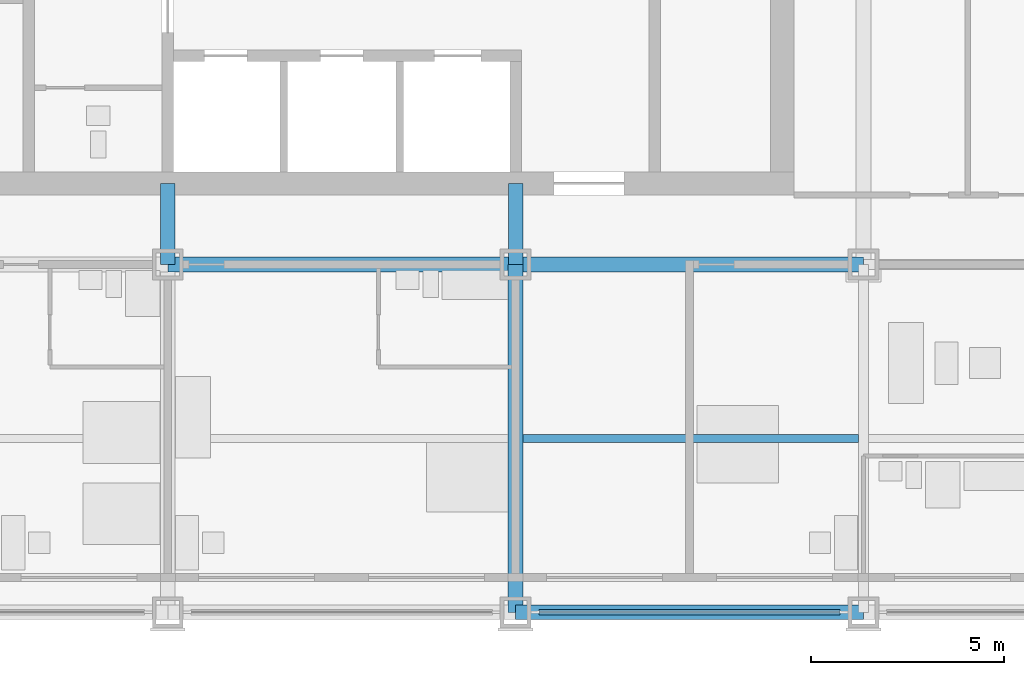
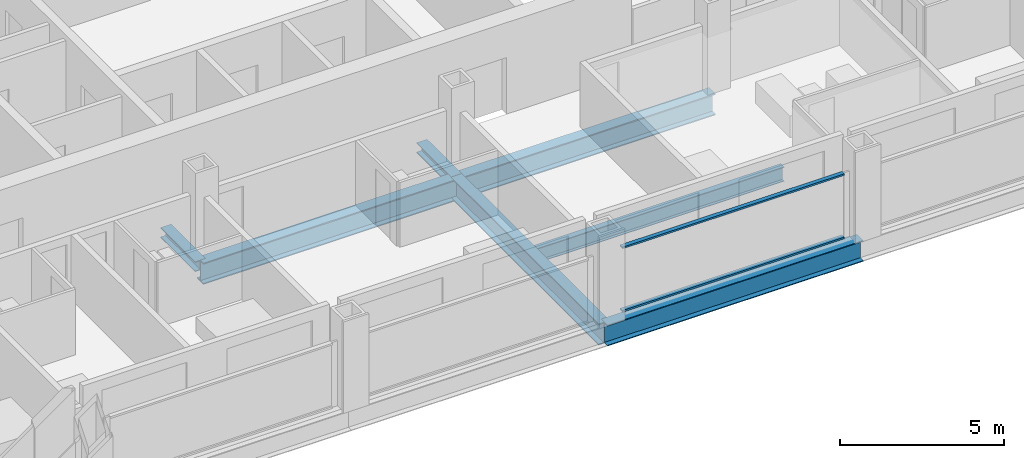
# One storey, part 3 of 18: 5 beams, 4 members, 1 element without a shape of its own.
"""IFC4 building model written with IfcOpenShell, lengths in metres."""

from ifc_helpers import new_model, si_unit, direction, frame, origin, origin_2d, place, context, subcontext, project, spatial, rectangle, i_section, extrude, material, material_profile, profile_set, type_object, element, aggregate, save


model = new_model("IFC4")

# Units and contexts
model_context = context("Model", 3, precision=1e-05, world=origin(), true_north=direction((0.0, 1.0)))
body_context = subcontext(model_context, "Body", "Model", "MODEL_VIEW")
ifc_project = project(units=[si_unit("LENGTHUNIT", "METRE"), si_unit("AREAUNIT", "SQUARE_METRE"), si_unit("VOLUMEUNIT", "CUBIC_METRE"), si_unit("PLANEANGLEUNIT", "RADIAN"), si_unit("MASSUNIT", "GRAM", prefix="KILO")], contexts=[model_context])

# Site, building, storey
site_placement = place(None, origin())
site = spatial("IfcSite", under=ifc_project, at=site_placement, CompositionType="ELEMENT")
building_placement = place(site_placement, origin())
building = spatial("IfcBuilding", under=site, at=building_placement, Name="Loomwork Tower", CompositionType="ELEMENT")
storey_placement = place(building_placement, frame((0.0, 0.0, 34.800048828125)))
storey = spatial("IfcBuildingStorey", under=building, at=storey_placement, Name="L07", CompositionType="ELEMENT", Elevation=34.800048828125)

# Beams
ifc_material_1 = material(Name="Steel ASTM A992", Category="steel")
ifc_material_profile_1 = material_profile(ifc_material_1, i_section(OverallWidth=0.383544921875, OverallDepth=0.794921875, WebThickness=0.02099609375, FlangeThickness=0.0380859375, at=origin_2d()), Name="W30x235")
ifc_profile_set_1 = profile_set([ifc_material_profile_1], Name="Steel ASTM A992")
beam_type_1 = type_object("IfcBeamType", Name="CORE FLANK GIRDER W30x235", PredefinedType="BEAM", material=ifc_profile_set_1)
for number, where, z_axis, x_axis, name in (
    (1, (18.0, 9.0, -0.59765625), (1.0, 0.0, 0.0), (0.0, 1.0, 0.0), "Core Flank Girder E/4-E/5 L07"),
    (2, (27.0, 9.0, -0.59765625), (1.0, 0.0, 0.0), (0.0, 1.0, 0.0), "Core Flank Girder E/5-E/6 L07"),
    (3, (27.0, 0.0, -0.59765625), (0.0, 1.0, 0.0), (-1.0, 0.0, 0.0), "Core Flank Girder D/5-E/5 L07"),
):
    element("IfcBeam", number, at=place(storey_placement, frame(where, z_axis=z_axis, x_axis=x_axis)), inside=storey, type_object=beam_type_1, Name=name, PredefinedType="BEAM", context=body_context, shape_type="SweptSolid", body=[
        extrude(i_section(OverallWidth=0.383544921875, OverallDepth=0.794921875, WebThickness=0.02099609375, FlangeThickness=0.0380859375, at=origin_2d()), origin(), (0.0, 0.0, 1.0), 9.0),
    ])

# Members
ifc_material_2 = material(Name="Steel ASTM A992", Category="steel")
ifc_material_profile_2 = material_profile(ifc_material_2, i_section(OverallWidth=0.373291015625, OverallDepth=0.373291015625, WebThickness=0.016357421875, FlangeThickness=0.026123046875, at=origin_2d()), Name="W14x132")
ifc_profile_set_2 = profile_set([ifc_material_profile_2], Name="Steel ASTM A992")
member_type_1 = type_object("IfcMemberType", Name="CORE LINK STRUT W14x132", PredefinedType="STRUT", material=ifc_profile_set_2)
for number, where, z_axis, x_axis, name in (
    (4, (27.0, 9.0, -0.38671875), (0.0, 1.0, 0.0), (-1.0, 0.0, 0.0), "Core link strut E/5-27.000,11.100 L07"),
    (5, (18.0, 9.0, -0.38671875), (0.0, 1.0, 0.0), (-1.0, 0.0, 0.0), "Core link strut E/4-18.000,11.100 L07"),
):
    element("IfcMember", number, at=place(storey_placement, frame(where, z_axis=z_axis, x_axis=x_axis)), inside=storey, type_object=member_type_1, Name=name, PredefinedType="STRUT", context=body_context, shape_type="SweptSolid", body=[
        extrude(i_section(OverallWidth=0.373291015625, OverallDepth=0.373291015625, WebThickness=0.016357421875, FlangeThickness=0.026123046875, at=origin_2d()), origin(), (0.0, 0.0, 1.0), 2.10009765625),
    ])

# Beam
ifc_material_3 = material(Name="Steel ASTM A992", Category="steel")
ifc_material_profile_3 = material_profile(ifc_material_3, i_section(OverallWidth=0.2109375, OverallDepth=0.53857421875, WebThickness=0.011474609375, FlangeThickness=0.018798828125, at=origin_2d()), Name="W21x73")
ifc_profile_set_3 = profile_set([ifc_material_profile_3], Name="Steel ASTM A992")
beam_type_2 = type_object("IfcBeamType", Name="FLOOR JOIST W21x73", PredefinedType="JOIST", material=ifc_profile_set_3)
beam_1_placement = place(storey_placement, frame((27.19091796875, 4.5, -0.46923828125), z_axis=(1.0, 0.0, 0.0), x_axis=(0.0, 1.0, 0.0)))
element("IfcBeam", 6, at=beam_1_placement, inside=storey, type_object=beam_type_2, Name="Floor Joist 27.000,4.500-36.000,4.500 L07", PredefinedType="JOIST", context=body_context, shape_type="SweptSolid", body=[
    extrude(i_section(OverallWidth=0.2109375, OverallDepth=0.53857421875, WebThickness=0.011474609375, FlangeThickness=0.018798828125, at=origin_2d()), origin(), (0.0, 0.0, 1.0), 8.676025390625),
])

# Curtain wall, members
ifc_material_4 = material(Name="Aluminium curtain wall frame", Category="aluminium")
curtain_wall_type = type_object("IfcCurtainWallType", Name="Outer skin glazing hotel", PredefinedType="NOTDEFINED", material=ifc_material_4)
curtain_wall_placement = place(storey_placement, origin())
curtain_wall = element("IfcCurtainWall", 7, at=curtain_wall_placement, inside=storey, type_object=curtain_wall_type, Name="Outer skin glazing hotel cw/S-27", PredefinedType="NOTDEFINED")
ifc_material_5 = material(Name="Aluminium curtain wall frame", Category="aluminium")
ifc_material_profile_4 = material_profile(ifc_material_5, rectangle(XDim=0.14990234375, YDim=0.06494140625, at=origin_2d()), Name="AL 65x150")
ifc_profile_set_4 = profile_set([ifc_material_profile_4], Name="Aluminium curtain wall frame")
member_type_2 = type_object("IfcMemberType", Name="Outer skin glazing hotel transom", PredefinedType="USERDEFINED", material=ifc_profile_set_4)
member_1_placement = place(storey_placement, frame((27.60009765625, 0.0, 0.032470703125), z_axis=(1.0, 0.0, 0.0), x_axis=(0.0, 1.0, 0.0)))
member_1 = element("IfcMember", 8, at=member_1_placement, type_object=member_type_2, Name="CW1 transom 1.1", ObjectType="TRANSOM", PredefinedType="USERDEFINED", context=body_context, shape_type="SweptSolid", body=[
    extrude(rectangle(XDim=0.14990234375, YDim=0.06494140625, at=origin_2d()), origin(), (0.0, 0.0, 1.0), 7.7998046875),
])
member_2_placement = place(storey_placement, frame((27.60009765625, 0.0, 2.3876953125), z_axis=(1.0, 0.0, 0.0), x_axis=(0.0, 1.0, 0.0)))
member_2 = element("IfcMember", 9, at=member_2_placement, type_object=member_type_2, Name="CW1 transom 1.2", ObjectType="TRANSOM", PredefinedType="USERDEFINED", context=body_context, shape_type="SweptSolid", body=[
    extrude(rectangle(XDim=0.14990234375, YDim=0.06494140625, at=origin_2d()), origin(), (0.0, 0.0, 1.0), 7.7998046875),
])
aggregate(curtain_wall, [member_1, member_2])

# Beam
ifc_material_6 = material(Name="Steel ASTM A992", Category="steel")
ifc_material_profile_5 = material_profile(ifc_material_6, i_section(OverallWidth=0.381103515625, OverallDepth=0.77978515625, WebThickness=0.01806640625, FlangeThickness=0.0302734375, at=origin_2d()), Name="W30x191")
ifc_profile_set_5 = profile_set([ifc_material_profile_5], Name="Steel ASTM A992")
beam_type_3 = type_object("IfcBeamType", Name="SPANDREL GIRDER W30x191", PredefinedType="SPANDREL", material=ifc_profile_set_5)
beam_2_placement = place(storey_placement, frame((27.0, 0.0, -0.58984375), z_axis=(1.0, 0.0, 0.0), x_axis=(0.0, 1.0, 0.0)))
element("IfcBeam", 10, at=beam_2_placement, inside=storey, type_object=beam_type_3, Name="Spandrel Girder D/5-D/6 L07", PredefinedType="SPANDREL", context=body_context, shape_type="SweptSolid", body=[
    extrude(i_section(OverallWidth=0.381103515625, OverallDepth=0.77978515625, WebThickness=0.01806640625, FlangeThickness=0.0302734375, at=origin_2d()), origin(), (0.0, 0.0, 1.0), 9.0),
])

save(model, "model.ifc")
